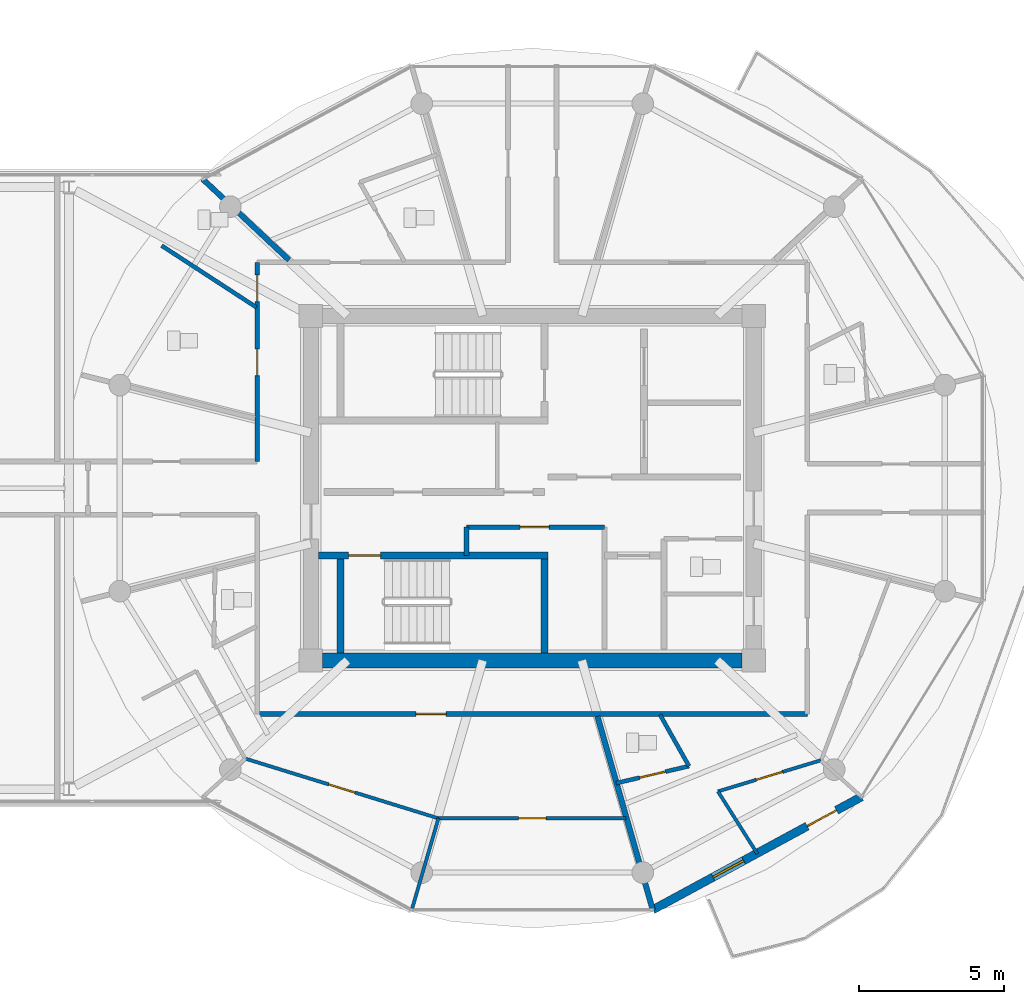
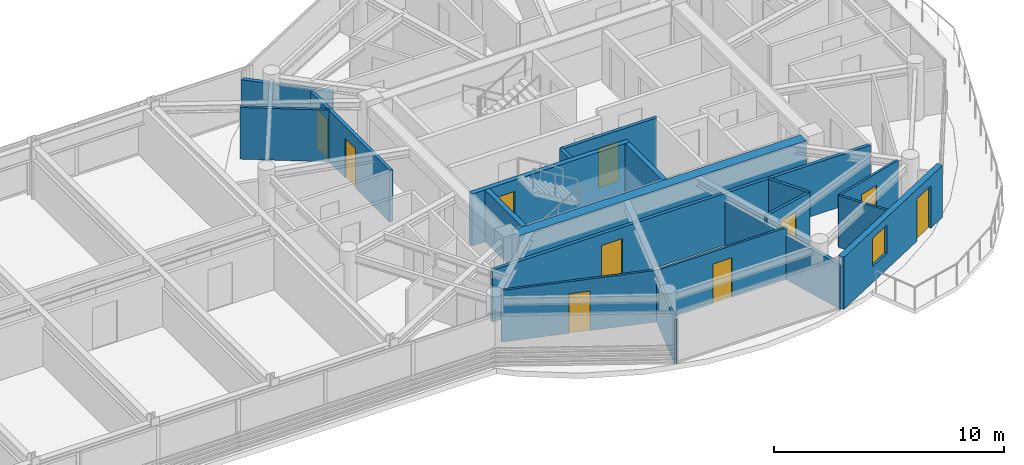
# One storey, part 18 of 26: 19 walls, 10 doors, 1 window, 11 openings.
"""IFC4 building model written with IfcOpenShell, lengths in metres."""

from ifc_helpers import new_model, si_unit, direction, frame, frame_2d, origin, place, context, subcontext, project, spatial, rectangle, extrude, source, transform, mapped, material, layer, layer_set, type_object, type_shapes, element, fill, save


model = new_model("IFC4")

# Units and contexts
model_context = context("Model", 3, precision=1e-05, world=origin(), true_north=direction((0.0, 1.0)))
body_context = subcontext(model_context, "Body", "Model", "MODEL_VIEW")
ifc_project = project(units=[si_unit("LENGTHUNIT", "METRE"), si_unit("AREAUNIT", "SQUARE_METRE"), si_unit("VOLUMEUNIT", "CUBIC_METRE"), si_unit("PLANEANGLEUNIT", "RADIAN"), si_unit("MASSUNIT", "GRAM", prefix="KILO")], contexts=[model_context])

# Site, building, storey
site_placement = place(None, origin())
site = spatial("IfcSite", under=ifc_project, at=site_placement, CompositionType="ELEMENT")
building_placement = place(site_placement, origin())
building = spatial("IfcBuilding", under=site, at=building_placement, Name="Norrkilde Senior Care Towers", CompositionType="ELEMENT")
storey_placement = place(building_placement, frame((0.0, 0.0, 210.85009765625)))
storey = spatial("IfcBuildingStorey", under=building, at=storey_placement, Name="L65", CompositionType="ELEMENT", Elevation=210.85009765625)

# Wall
ifc_material_1 = material(Name="Concrete C50/60", Category="concrete")
ifc_layer_1 = layer(ifc_material_1, 0.52001953125)
ifc_layer_set_1 = layer_set([ifc_layer_1], Name="Concrete C50/60")
wall_type_1 = type_object("IfcWallType", Name="Core Shear Wall Z4 520", PredefinedType="SHEAR", material=ifc_layer_set_1)
shared_shape_1 = source(origin(), body_context, "Body", "SweptSolid", [
    extrude(rectangle(XDim=14.5, YDim=0.52001953125, at=frame_2d((7.25, 0.0))), origin(), (0.0, 0.0, 1.0), 2.760009765625),
])
type_shapes(wall_type_1, [shared_shape_1])
wall_1_placement = place(storey_placement, frame((35.25, -5.949951171875, 0.0), z_axis=(0.0, 0.0, 1.0), x_axis=(-1.0, 0.0, 0.0)))
element("IfcWall", 1, at=wall_1_placement, inside=storey, type_object=wall_type_1, Name="L65 Core E South Shear Wall", PredefinedType="SHEAR", context=body_context, shape_type="MappedRepresentation", body=[
    mapped(shared_shape_1, transform((0.0, 0.0, 0.0), x_axis=(1.0, 0.0, 0.0), y_axis=(0.0, 1.0, 0.0), z_axis=(0.0, 0.0, 1.0), scale=1.0)),
])

# Wall, openings, door, window
ifc_material_2 = material(Name="Precast concrete C45/55", Category="concrete")
ifc_layer_2 = layer(ifc_material_2, 0.2900390625)
ifc_layer_set_2 = layer_set([ifc_layer_2], Name="Precast concrete C45/55")
wall_type_2 = type_object("IfcWallType", Name="Winter Garden Facade Wall 290", PredefinedType="SOLIDWALL", material=ifc_layer_set_2)
shared_shape_2 = source(origin(), body_context, "Body", "SweptSolid", [
    extrude(rectangle(XDim=8.197265625, YDim=0.2900390625, at=frame_2d((4.0986328125, 0.0))), origin(), (0.0, 0.0, 1.0), 2.760009765625),
])
type_shapes(wall_type_2, [shared_shape_2])
wall_2_placement = place(storey_placement, frame((39.370361328125, -10.6630859375, 0.0), z_axis=(0.0, 0.0, 1.0), x_axis=(-0.879369910001, -0.476139224791, 0.0)))
wall_2 = element("IfcWall", 2, at=wall_2_placement, inside=storey, type_object=wall_type_2, Name="L65 Drum E Balcony Access Wall 09", PredefinedType="SOLIDWALL", context=body_context, shape_type="MappedRepresentation", body=[
    mapped(shared_shape_2, transform((0.0, 0.0, 0.0), x_axis=(1.0, 0.0, 0.0), y_axis=(0.0, 1.0, 0.0), z_axis=(0.0, 0.0, 1.0), scale=1.0)),
])
opening_1_placement = place(wall_2_placement, frame((0.97998046875, 0.0, 0.0)))
opening_1 = element("IfcOpeningElement", 3, at=opening_1_placement, cuts=wall_2, Name="Opening D-09", PredefinedType="OPENING", context=body_context, shape_type="SweptSolid", body=[
    extrude(rectangle(XDim=1.14990234375, YDim=2.25, at=frame_2d((0.574951171875, 1.125))), frame((0.0, 0.155029296875, 0.0), z_axis=(0.0, -1.0, 0.0), x_axis=(1.0, 0.0, 0.0)), (0.0, 0.0, 1.0), 0.31005859375),
])
opening_2_placement = place(wall_2_placement, frame((4.628662109375, 0.0, 0.85009765625)))
opening_2 = element("IfcOpeningElement", 4, at=opening_2_placement, cuts=wall_2, Name="Opening WN-07", PredefinedType="OPENING", context=body_context, shape_type="SweptSolid", body=[
    extrude(rectangle(XDim=1.199951171875, YDim=1.5, at=frame_2d((0.60009765625, 0.75))), frame((0.0, 0.155029296875, 0.0), z_axis=(0.0, -1.0, 0.0), x_axis=(1.0, 0.0, 0.0)), (0.0, 0.0, 1.0), 0.31005859375),
])
ifc_material_3 = material(Name="Anodised Aluminium", Category="aluminium")
door_type_1 = type_object("IfcDoorType", Name="Terrace and Balcony Glazed Door 1150x2250", OperationType="NOTDEFINED", PredefinedType="DOOR", material=ifc_material_3)
shared_shape_3 = source(origin(), body_context, "Body", "SweptSolid", [
    extrude(rectangle(XDim=1.14990234375, YDim=2.25, at=frame_2d((0.574951171875, 1.125))), frame((0.0, 0.02490234375, 0.0), z_axis=(0.0, -1.0, 0.0), x_axis=(1.0, 0.0, 0.0)), (0.0, 0.0, 1.0), 0.050048828125),
])
type_shapes(door_type_1, [shared_shape_3])
door_1_placement = place(opening_1_placement, origin())
door_1 = element("IfcDoor", 5, at=door_1_placement, inside=storey, type_object=door_type_1, Name="L65 Drum E Outdoor Terrace Door 09", OperationType="SINGLE_SWING_RIGHT", OverallHeight=2.25, OverallWidth=1.14990234375, PredefinedType="DOOR", context=body_context, shape_type="MappedRepresentation", body=[
    mapped(shared_shape_3, transform((0.0, 0.0, 0.0), x_axis=(1.0, 0.0, 0.0), y_axis=(0.0, 1.0, 0.0), z_axis=(0.0, 0.0, 1.0), scale=1.0)),
])
fill(opening_1, door_1)
ifc_material_4 = material(Name="Triple Low-E Insulated Glazing", Category="glass")
window_type = type_object("IfcWindowType", Name="Stairwell Smoke Vent Window 1200x1500", PartitioningType="SINGLE_PANEL", PredefinedType="WINDOW", material=ifc_material_4)
shared_shape_4 = source(origin(), body_context, "Body", "SweptSolid", [
    extrude(rectangle(XDim=1.199951171875, YDim=1.5, at=frame_2d((0.60009765625, 0.75))), frame((0.0, 0.030029296875, 0.0), z_axis=(0.0, -1.0, 0.0), x_axis=(1.0, 0.0, 0.0)), (0.0, 0.0, 1.0), 0.06005859375),
])
type_shapes(window_type, [shared_shape_4])
window_placement = place(opening_2_placement, origin())
window = element("IfcWindow", 6, at=window_placement, inside=storey, type_object=window_type, Name="L65 Drum E Winter Garden Window 09", OverallHeight=1.5, OverallWidth=1.199951171875, PartitioningType="SINGLE_PANEL", PredefinedType="WINDOW", context=body_context, shape_type="MappedRepresentation", body=[
    mapped(shared_shape_4, transform((0.0, 0.0, 0.0), x_axis=(1.0, 0.0, 0.0), y_axis=(0.0, 1.0, 0.0), z_axis=(0.0, 0.0, 1.0), scale=1.0)),
])
fill(opening_2, window)

# Wall, opening, door
ifc_material_5 = material(Name="Concrete C45/55", Category="concrete")
ifc_layer_3 = layer(ifc_material_5, 0.239990234375)
ifc_layer_set_3 = layer_set([ifc_layer_3], Name="Concrete C45/55")
wall_type_3 = type_object("IfcWallType", Name="Shaft and Stair Enclosure Wall 240", PredefinedType="PARTITIONING", material=ifc_layer_set_3)
shared_shape_5 = source(origin(), body_context, "Body", "SweptSolid", [
    extrude(rectangle(XDim=7.929931640625, YDim=0.239990234375, at=frame_2d((3.96484375, 0.0))), origin(), (0.0, 0.0, 1.0), 2.760009765625),
])
wall_3_placement = place(storey_placement, frame((20.610107421875, -2.330078125, 0.0), z_axis=(0.0, 0.0, 1.0), x_axis=(1.0, 0.0, 0.0)))
wall_3 = element("IfcWall", 7, at=wall_3_placement, inside=storey, type_object=wall_type_3, Name="WL-INT-L65-E-ST2N", PredefinedType="PARTITIONING", context=body_context, shape_type="MappedRepresentation", body=[
    mapped(shared_shape_5, transform((0.0, 0.0, 0.0), x_axis=(1.0, 0.0, 0.0), y_axis=(0.0, 1.0, 0.0), z_axis=(0.0, 0.0, 1.0), scale=1.0)),
])
opening_3_placement = place(wall_3_placement, frame((1.050048828125, 0.0, 0.0)))
opening_3 = element("IfcOpeningElement", 8, at=opening_3_placement, cuts=wall_3, Name="Opening D-03", PredefinedType="OPENING", context=body_context, shape_type="SweptSolid", body=[
    extrude(rectangle(XDim=1.10009765625, YDim=2.14990234375, at=frame_2d((0.550048828125, 1.074951171875))), frame((0.0, 0.1298828125, 0.0), z_axis=(0.0, -1.0, 0.0), x_axis=(1.0, 0.0, 0.0)), (0.0, 0.0, 1.0), 0.260009765625),
])
ifc_material_6 = material(Name="Galvanised Painted Steel", Category="steel")
door_type_2 = type_object("IfcDoorType", Name="Stairwell Protected Fire Door 1100x2150", OperationType="NOTDEFINED", PredefinedType="DOOR", material=ifc_material_6)
shared_shape_6 = source(origin(), body_context, "Body", "SweptSolid", [
    extrude(rectangle(XDim=1.10009765625, YDim=2.14990234375, at=frame_2d((0.550048828125, 1.074951171875))), frame((0.0, 0.02490234375, 0.0), z_axis=(0.0, -1.0, 0.0), x_axis=(1.0, 0.0, 0.0)), (0.0, 0.0, 1.0), 0.050048828125),
])
type_shapes(door_type_2, [shared_shape_6])
door_2_placement = place(opening_3_placement, frame((1.10009765625, 0.0, 0.0), z_axis=(0.0, 0.0, 1.0), x_axis=(-1.0, 0.0, 0.0)))
door_2 = element("IfcDoor", 9, at=door_2_placement, inside=storey, type_object=door_type_2, Name="L65 Stair E2 Fire Door", OperationType="SINGLE_SWING_RIGHT", OverallHeight=2.14990234375, OverallWidth=1.10009765625, PredefinedType="DOOR", context=body_context, shape_type="MappedRepresentation", body=[
    mapped(shared_shape_6, transform((0.0, 0.0, 0.0), x_axis=(1.0, 0.0, 0.0), y_axis=(0.0, 1.0, 0.0), z_axis=(0.0, 0.0, 1.0), scale=1.0)),
])
fill(opening_3, door_2)

# Walls
shared_shape_7 = source(origin(), body_context, "Body", "SweptSolid", [
    extrude(rectangle(XDim=3.239990234375, YDim=0.239990234375, at=frame_2d((1.6201171875, 0.0))), origin(), (0.0, 0.0, 1.0), 2.760009765625),
])
type_shapes(wall_type_3, [shared_shape_5, shared_shape_7])
for number, where, z_axis, x_axis, name in (
    (10, (21.3798828125, -5.68994140625, 0.0), (0.0, 0.0, 1.0), (0.0, 1.0, 0.0), "WL-INT-L65-E-ST2W"),
    (11, (28.419921875, -5.68994140625, 0.0), (0.0, 0.0, 1.0), (0.0, 1.0, 0.0), "WL-INT-L65-E-ST2E"),
):
    element("IfcWall", number, at=place(storey_placement, frame(where, z_axis=z_axis, x_axis=x_axis)), inside=storey, type_object=wall_type_3, Name=name, PredefinedType="PARTITIONING", context=body_context, shape_type="MappedRepresentation", body=[
        mapped(shared_shape_7, transform((0.0, 0.0, 0.0), x_axis=(1.0, 0.0, 0.0), y_axis=(0.0, 1.0, 0.0), z_axis=(0.0, 0.0, 1.0), scale=1.0)),
    ])
ifc_material_7 = material(Name="Gypsum Acoustic Board")
ifc_layer_4 = layer(ifc_material_7, 0.18994140625)
ifc_layer_set_4 = layer_set([ifc_layer_4], Name="Gypsum Acoustic Board")
wall_type_4 = type_object("IfcWallType", Name="Unit Demising Acoustic Wall 190", PredefinedType="PARTITIONING", material=ifc_layer_set_4)
shared_shape_8 = source(origin(), body_context, "Body", "SweptSolid", [
    extrude(rectangle(XDim=4.089111328125, YDim=0.18994140625, at=frame_2d((2.04443359375, 0.0))), origin(), (0.0, 0.0, 1.0), 2.344970703125),
])
wall_4_placement = place(storey_placement, frame((19.59814453125, 7.8798828125, 0.0), z_axis=(0.0, 0.0, 1.0), x_axis=(-0.729401273609, 0.684086092577, 0.0)))
element("IfcWall", 12, at=wall_4_placement, inside=storey, type_object=wall_type_4, Name="WL-INT-L65-E-DEM-04-0", PredefinedType="PARTITIONING", context=body_context, shape_type="MappedRepresentation", body=[
    mapped(shared_shape_8, transform((0.0, 0.0, 0.0), x_axis=(1.0, 0.0, 0.0), y_axis=(0.0, 1.0, 0.0), z_axis=(0.0, 0.0, 1.0), scale=1.0)),
])
shared_shape_9 = source(origin(), body_context, "Body", "SweptSolid", [
    extrude(rectangle(XDim=6.973876953125, YDim=0.18994140625, at=frame_2d((3.48681640625, 0.0))), origin(), (0.0, 0.0, 1.0), 2.344970703125),
])
type_shapes(wall_type_4, [shared_shape_8, shared_shape_9])
wall_5_placement = place(storey_placement, frame((30.251220703125, -7.8798828125, 0.0), z_axis=(0.0, 0.0, 1.0), x_axis=(0.274707256801, -0.961527910703, 0.0)))
element("IfcWall", 13, at=wall_5_placement, inside=storey, type_object=wall_type_4, Name="WL-INT-L65-E-DEM-09-0", PredefinedType="PARTITIONING", context=body_context, shape_type="MappedRepresentation", body=[
    mapped(shared_shape_9, transform((0.0, 0.0, 0.0), x_axis=(1.0, 0.0, 0.0), y_axis=(0.0, 1.0, 0.0), z_axis=(0.0, 0.0, 1.0), scale=1.0)),
])

# Wall, opening, door
ifc_layer_5 = layer(ifc_material_7, 0.1650390625)
ifc_layer_set_5 = layer_set([ifc_layer_5], Name="Gypsum Acoustic Board")
wall_type_5 = type_object("IfcWallType", Name="Corridor Rated Partition 165", PredefinedType="PARTITIONING", material=ifc_layer_set_5)
shared_shape_10 = source(origin(), body_context, "Body", "SweptSolid", [
    extrude(rectangle(XDim=4.77001953125, YDim=0.1650390625, at=frame_2d((2.385009765625, 0.0))), origin(), (0.0, 0.0, 1.0), 2.744873046875),
])
wall_6_placement = place(storey_placement, frame((25.72998046875, -1.35009765625, 0.0), z_axis=(0.0, 0.0, 1.0), x_axis=(1.0, 0.0, 0.0)))
wall_6 = element("IfcWall", 14, at=wall_6_placement, inside=storey, type_object=wall_type_5, Name="WL-INT-L65-E-FR2N", PredefinedType="PARTITIONING", context=body_context, shape_type="MappedRepresentation", body=[
    mapped(shared_shape_10, transform((0.0, 0.0, 0.0), x_axis=(1.0, 0.0, 0.0), y_axis=(0.0, 1.0, 0.0), z_axis=(0.0, 0.0, 1.0), scale=1.0)),
])
opening_4_placement = place(wall_6_placement, frame((1.85009765625, 0.0, 0.0)))
opening_4 = element("IfcOpeningElement", 15, at=opening_4_placement, cuts=wall_6, Name="Opening D-10", PredefinedType="OPENING", context=body_context, shape_type="SweptSolid", body=[
    extrude(rectangle(XDim=1.0, YDim=2.10009765625, at=frame_2d((0.5, 1.050048828125))), frame((0.0, 0.092529296875, 0.0), z_axis=(0.0, -1.0, 0.0), x_axis=(1.0, 0.0, 0.0)), (0.0, 0.0, 1.0), 0.18505859375),
])
door_type_3 = type_object("IfcDoorType", Name="Plant and Riser Rated Door 1000x2100", OperationType="NOTDEFINED", PredefinedType="DOOR", material=ifc_material_6)
shared_shape_11 = source(origin(), body_context, "Body", "SweptSolid", [
    extrude(rectangle(XDim=1.0, YDim=2.10009765625, at=frame_2d((0.5, 1.050048828125))), frame((0.0, 0.02490234375, 0.0), z_axis=(0.0, -1.0, 0.0), x_axis=(1.0, 0.0, 0.0)), (0.0, 0.0, 1.0), 0.050048828125),
])
type_shapes(door_type_3, [shared_shape_11])
door_3_placement = place(opening_4_placement, origin())
door_3 = element("IfcDoor", 16, at=door_3_placement, inside=storey, type_object=door_type_3, Name="L65 Core Pantry E Door", OperationType="SINGLE_SWING_RIGHT", OverallHeight=2.10009765625, OverallWidth=1.0, PredefinedType="DOOR", context=body_context, shape_type="MappedRepresentation", body=[
    mapped(shared_shape_11, transform((0.0, 0.0, 0.0), x_axis=(1.0, 0.0, 0.0), y_axis=(0.0, 1.0, 0.0), z_axis=(0.0, 0.0, 1.0), scale=1.0)),
])
fill(opening_4, door_3)

# Wall
shared_shape_12 = source(origin(), body_context, "Body", "SweptSolid", [
    extrude(rectangle(XDim=0.97998046875, YDim=0.1650390625, at=frame_2d((0.489990234375, 0.0))), origin(), (0.0, 0.0, 1.0), 2.744873046875),
])
wall_7_placement = place(storey_placement, frame((25.72998046875, -2.330078125, 0.0), z_axis=(0.0, 0.0, 1.0), x_axis=(0.0, 1.0, 0.0)))
element("IfcWall", 17, at=wall_7_placement, inside=storey, type_object=wall_type_5, Name="WL-INT-L65-E-FR2W", PredefinedType="PARTITIONING", context=body_context, shape_type="MappedRepresentation", body=[
    mapped(shared_shape_12, transform((0.0, 0.0, 0.0), x_axis=(1.0, 0.0, 0.0), y_axis=(0.0, 1.0, 0.0), z_axis=(0.0, 0.0, 1.0), scale=1.0)),
])

# Wall, opening, door
shared_shape_13 = source(origin(), body_context, "Body", "SweptSolid", [
    extrude(rectangle(XDim=19.0, YDim=0.1650390625, at=frame_2d((9.5, 0.0))), origin(), (0.0, 0.0, 1.0), 2.744873046875),
])
wall_8_placement = place(storey_placement, frame((37.5, -7.800048828125, 0.0), z_axis=(0.0, 0.0, 1.0), x_axis=(-1.0, 0.0, 0.0)))
wall_8 = element("IfcWall", 18, at=wall_8_placement, inside=storey, type_object=wall_type_5, Name="WL-INT-L65-E-CRW-S-0", PredefinedType="PARTITIONING", context=body_context, shape_type="MappedRepresentation", body=[
    mapped(shared_shape_13, transform((0.0, 0.0, 0.0), x_axis=(1.0, 0.0, 0.0), y_axis=(0.0, 1.0, 0.0), z_axis=(0.0, 0.0, 1.0), scale=1.0)),
])
opening_5_placement = place(wall_8_placement, frame((12.47314453125, 0.0, 0.0)))
opening_5 = element("IfcOpeningElement", 19, at=opening_5_placement, cuts=wall_8, Name="Opening D-06", PredefinedType="OPENING", context=body_context, shape_type="SweptSolid", body=[
    extrude(rectangle(XDim=1.050048828125, YDim=2.14990234375, at=frame_2d((0.52490234375, 1.074951171875))), frame((0.0, 0.092529296875, 0.0), z_axis=(0.0, -1.0, 0.0), x_axis=(1.0, 0.0, 0.0)), (0.0, 0.0, 1.0), 0.18505859375),
])
ifc_material_8 = material(Name="Nordic Ash Timber", Category="wood")
door_type_4 = type_object("IfcDoorType", Name="Apartment Entrance Fire Door 1050x2150", OperationType="NOTDEFINED", PredefinedType="DOOR", material=ifc_material_8)
shared_shape_14 = source(origin(), body_context, "Body", "SweptSolid", [
    extrude(rectangle(XDim=1.050048828125, YDim=2.14990234375, at=frame_2d((0.52490234375, 1.074951171875))), frame((0.0, 0.02490234375, 0.0), z_axis=(0.0, -1.0, 0.0), x_axis=(1.0, 0.0, 0.0)), (0.0, 0.0, 1.0), 0.050048828125),
])
type_shapes(door_type_4, [shared_shape_14])
door_4_placement = place(opening_5_placement, frame((1.050048828125, 0.0, 0.0), z_axis=(0.0, 0.0, 1.0), x_axis=(-1.0, 0.0, 0.0)))
door_4 = element("IfcDoor", 20, at=door_4_placement, inside=storey, type_object=door_type_4, Name="Apartment 65E Entrance Door", OperationType="SINGLE_SWING_LEFT", OverallHeight=2.14990234375, OverallWidth=1.050048828125, PredefinedType="DOOR", context=body_context, shape_type="MappedRepresentation", body=[
    mapped(shared_shape_14, transform((0.0, 0.0, 0.0), x_axis=(1.0, 0.0, 0.0), y_axis=(0.0, 1.0, 0.0), z_axis=(0.0, 0.0, 1.0), scale=1.0)),
])
fill(opening_5, door_4)

# Wall, openings, doors
shared_shape_15 = source(origin(), body_context, "Body", "SweptSolid", [
    extrude(rectangle(XDim=6.880126953125, YDim=0.1650390625, at=frame_2d((3.43994140625, 0.0))), origin(), (0.0, 0.0, 1.0), 2.744873046875),
])
type_shapes(wall_type_5, [shared_shape_10, shared_shape_12, shared_shape_13, shared_shape_15])
wall_9_placement = place(storey_placement, frame((18.5, 0.919921875, 0.0), z_axis=(0.0, 0.0, 1.0), x_axis=(0.0, 1.0, 0.0)))
wall_9 = element("IfcWall", 21, at=wall_9_placement, inside=storey, type_object=wall_type_5, Name="WL-INT-L65-E-CRW-W-1", PredefinedType="PARTITIONING", context=body_context, shape_type="MappedRepresentation", body=[
    mapped(shared_shape_15, transform((0.0, 0.0, 0.0), x_axis=(1.0, 0.0, 0.0), y_axis=(0.0, 1.0, 0.0), z_axis=(0.0, 0.0, 1.0), scale=1.0)),
])
opening_6_placement = place(wall_9_placement, frame((5.525146484375, 0.0, 0.0)))
opening_6 = element("IfcOpeningElement", 22, at=opening_6_placement, cuts=wall_9, Name="Opening D-08", PredefinedType="OPENING", context=body_context, shape_type="SweptSolid", body=[
    extrude(rectangle(XDim=0.919921875, YDim=2.10009765625, at=frame_2d((0.4599609375, 1.050048828125))), frame((0.0, 0.092529296875, 0.0), z_axis=(0.0, -1.0, 0.0), x_axis=(1.0, 0.0, 0.0)), (0.0, 0.0, 1.0), 0.18505859375),
])
opening_7_placement = place(wall_9_placement, frame((2.96240234375, 0.0, 0.0)))
opening_7 = element("IfcOpeningElement", 23, at=opening_7_placement, cuts=wall_9, Name="Opening D-08", PredefinedType="OPENING", context=body_context, shape_type="SweptSolid", body=[
    extrude(rectangle(XDim=0.919921875, YDim=2.10009765625, at=frame_2d((0.4599609375, 1.050048828125))), frame((0.0, 0.092529296875, 0.0), z_axis=(0.0, -1.0, 0.0), x_axis=(1.0, 0.0, 0.0)), (0.0, 0.0, 1.0), 0.18505859375),
])
door_type_5 = type_object("IfcDoorType", Name="Accessible Wet Room Door 920x2100", OperationType="NOTDEFINED", PredefinedType="DOOR", material=ifc_material_8)
shared_shape_16 = source(origin(), body_context, "Body", "SweptSolid", [
    extrude(rectangle(XDim=0.919921875, YDim=2.10009765625, at=frame_2d((0.4599609375, 1.050048828125))), frame((0.0, 0.02490234375, 0.0), z_axis=(0.0, -1.0, 0.0), x_axis=(1.0, 0.0, 0.0)), (0.0, 0.0, 1.0), 0.050048828125),
])
type_shapes(door_type_5, [shared_shape_16])
door_5_placement = place(opening_6_placement, frame((0.919921875, 0.0, 0.0), z_axis=(0.0, 0.0, 1.0), x_axis=(-1.0, 0.0, 0.0)))
door_5 = element("IfcDoor", 24, at=door_5_placement, inside=storey, type_object=door_type_5, Name="L65 Accessible Restroom Door", OperationType="SINGLE_SWING_LEFT", OverallHeight=2.10009765625, OverallWidth=0.919921875, PredefinedType="DOOR", context=body_context, shape_type="MappedRepresentation", body=[
    mapped(shared_shape_16, transform((0.0, 0.0, 0.0), x_axis=(1.0, 0.0, 0.0), y_axis=(0.0, 1.0, 0.0), z_axis=(0.0, 0.0, 1.0), scale=1.0)),
])
fill(opening_6, door_5)
door_6_placement = place(opening_7_placement, frame((0.919921875, 0.0, 0.0), z_axis=(0.0, 0.0, 1.0), x_axis=(-1.0, 0.0, 0.0)))
door_6 = element("IfcDoor", 25, at=door_6_placement, inside=storey, type_object=door_type_5, Name="L65 Public Restroom Door", OperationType="SINGLE_SWING_RIGHT", OverallHeight=2.10009765625, OverallWidth=0.919921875, PredefinedType="DOOR", context=body_context, shape_type="MappedRepresentation", body=[
    mapped(shared_shape_16, transform((0.0, 0.0, 0.0), x_axis=(1.0, 0.0, 0.0), y_axis=(0.0, 1.0, 0.0), z_axis=(0.0, 0.0, 1.0), scale=1.0)),
])
fill(opening_7, door_6)

# Wall
ifc_layer_6 = layer(ifc_material_7, 0.139892578125)
ifc_layer_set_6 = layer_set([ifc_layer_6], Name="Gypsum Acoustic Board")
wall_type_6 = type_object("IfcWallType", Name="En-suite Wet Room Wall 140", PredefinedType="PARTITIONING", material=ifc_layer_set_6)
shared_shape_17 = source(origin(), body_context, "Body", "SweptSolid", [
    extrude(rectangle(XDim=3.903564453125, YDim=0.139892578125, at=frame_2d((1.95166015625, 0.0))), origin(), (0.0, 0.0, 1.0), 2.744873046875),
])
wall_10_placement = place(storey_placement, frame((18.469970703125, 6.245849609375, 0.0), z_axis=(0.0, 0.0, 1.0), x_axis=(-0.838024687996, 0.545632314209, 0.0)))
element("IfcWall", 26, at=wall_10_placement, inside=storey, type_object=wall_type_6, Name="WL-INT-L65-E-MID-04", PredefinedType="PARTITIONING", context=body_context, shape_type="MappedRepresentation", body=[
    mapped(shared_shape_17, transform((0.0, 0.0, 0.0), x_axis=(1.0, 0.0, 0.0), y_axis=(0.0, 1.0, 0.0), z_axis=(0.0, 0.0, 1.0), scale=1.0)),
])

# Wall, opening, door
ifc_layer_7 = layer(ifc_material_7, 0.114990234375)
ifc_layer_set_7 = layer_set([ifc_layer_7], Name="Gypsum Acoustic Board")
wall_type_7 = type_object("IfcWallType", Name="Internal Room Partition 115", PredefinedType="PARTITIONING", material=ifc_layer_set_7)
shared_shape_18 = source(origin(), body_context, "Body", "SweptSolid", [
    extrude(rectangle(XDim=6.979736328125, YDim=0.114990234375, at=frame_2d((3.48974609375, 0.0))), origin(), (0.0, 0.0, 1.0), 2.744873046875),
])
wall_11_placement = place(storey_placement, frame((18.0908203125, -9.34423828125, 0.0), z_axis=(0.0, 0.0, 1.0), x_axis=(0.955342331637, -0.295501318749, 0.0)))
wall_11 = element("IfcWall", 27, at=wall_11_placement, inside=storey, type_object=wall_type_7, Name="WL-INT-L65-E-UBC-06-1", PredefinedType="PARTITIONING", context=body_context, shape_type="MappedRepresentation", body=[
    mapped(shared_shape_18, transform((0.0, 0.0, 0.0), x_axis=(1.0, 0.0, 0.0), y_axis=(0.0, 1.0, 0.0), z_axis=(0.0, 0.0, 1.0), scale=1.0)),
])
opening_8_placement = place(wall_11_placement, frame((3.014892578125, 0.0, 0.0)))
opening_8 = element("IfcOpeningElement", 28, at=opening_8_placement, cuts=wall_11, Name="Opening D-07", PredefinedType="OPENING", context=body_context, shape_type="SweptSolid", body=[
    extrude(rectangle(XDim=0.949951171875, YDim=2.10009765625, at=frame_2d((0.47509765625, 1.050048828125))), frame((0.0, 0.0673828125, 0.0), z_axis=(0.0, -1.0, 0.0), x_axis=(1.0, 0.0, 0.0)), (0.0, 0.0, 1.0), 0.135009765625),
])
door_type_6 = type_object("IfcDoorType", Name="Internal Suite Bedroom Door 950x2100", OperationType="NOTDEFINED", PredefinedType="DOOR", material=ifc_material_8)
shared_shape_19 = source(origin(), body_context, "Body", "SweptSolid", [
    extrude(rectangle(XDim=0.949951171875, YDim=2.10009765625, at=frame_2d((0.47509765625, 1.050048828125))), frame((0.0, 0.02490234375, 0.0), z_axis=(0.0, -1.0, 0.0), x_axis=(1.0, 0.0, 0.0)), (0.0, 0.0, 1.0), 0.050048828125),
])
type_shapes(door_type_6, [shared_shape_19])
door_7_placement = place(opening_8_placement, origin())
door_7 = element("IfcDoor", 29, at=door_7_placement, inside=storey, type_object=door_type_6, Name="Apartment 65E Bedroom 1 Door", OperationType="SINGLE_SWING_RIGHT", OverallHeight=2.10009765625, OverallWidth=0.949951171875, PredefinedType="DOOR", context=body_context, shape_type="MappedRepresentation", body=[
    mapped(shared_shape_19, transform((0.0, 0.0, 0.0), x_axis=(1.0, 0.0, 0.0), y_axis=(0.0, 1.0, 0.0), z_axis=(0.0, 0.0, 1.0), scale=1.0)),
])
fill(opening_8, door_7)

shared_shape_20 = source(origin(), body_context, "Body", "SweptSolid", [
    extrude(rectangle(XDim=6.48095703125, YDim=0.114990234375, at=frame_2d((3.240478515625, 0.0))), origin(), (0.0, 0.0, 1.0), 2.744873046875),
])
wall_12_placement = place(storey_placement, frame((24.759521484375, -11.404052734375, 0.0), z_axis=(0.0, 0.0, 1.0), x_axis=(1.0, 0.0, 0.0)))
wall_12 = element("IfcWall", 30, at=wall_12_placement, inside=storey, type_object=wall_type_7, Name="WL-INT-L65-E-UBC-06-2", PredefinedType="PARTITIONING", context=body_context, shape_type="MappedRepresentation", body=[
    mapped(shared_shape_20, transform((0.0, 0.0, 0.0), x_axis=(1.0, 0.0, 0.0), y_axis=(0.0, 1.0, 0.0), z_axis=(0.0, 0.0, 1.0), scale=1.0)),
])
opening_9_placement = place(wall_12_placement, frame((2.765380859375, 0.0, 0.0)))
opening_9 = element("IfcOpeningElement", 31, at=opening_9_placement, cuts=wall_12, Name="Opening D-07", PredefinedType="OPENING", context=body_context, shape_type="SweptSolid", body=[
    extrude(rectangle(XDim=0.949951171875, YDim=2.10009765625, at=frame_2d((0.47509765625, 1.050048828125))), frame((0.0, 0.0673828125, 0.0), z_axis=(0.0, -1.0, 0.0), x_axis=(1.0, 0.0, 0.0)), (0.0, 0.0, 1.0), 0.135009765625),
])
door_8_placement = place(opening_9_placement, frame((0.949951171875, 0.0, 0.0), z_axis=(0.0, 0.0, 1.0), x_axis=(-1.0, 0.0, 0.0)))
door_8 = element("IfcDoor", 32, at=door_8_placement, inside=storey, type_object=door_type_6, Name="Apartment 65E Bedroom 2 Door", OperationType="SINGLE_SWING_LEFT", OverallHeight=2.10009765625, OverallWidth=0.949951171875, PredefinedType="DOOR", context=body_context, shape_type="MappedRepresentation", body=[
    mapped(shared_shape_19, transform((0.0, 0.0, 0.0), x_axis=(1.0, 0.0, 0.0), y_axis=(0.0, 1.0, 0.0), z_axis=(0.0, 0.0, 1.0), scale=1.0)),
])
fill(opening_9, door_8)

# Walls
shared_shape_21 = source(origin(), body_context, "Body", "SweptSolid", [
    extrude(rectangle(XDim=3.3134765625, YDim=0.114990234375, at=frame_2d((1.65673828125, 0.0))), origin(), (0.0, 0.0, 1.0), 2.344970703125),
])
wall_13_placement = place(storey_placement, frame((24.759521484375, -11.404052734375, 0.0), z_axis=(0.0, 0.0, 1.0), x_axis=(-0.279612365916, -0.960112975033, 0.0)))
element("IfcWall", 33, at=wall_13_placement, inside=storey, type_object=wall_type_7, Name="WL-INT-L65-E-UBR-06-2", PredefinedType="PARTITIONING", context=body_context, shape_type="MappedRepresentation", body=[
    mapped(shared_shape_21, transform((0.0, 0.0, 0.0), x_axis=(1.0, 0.0, 0.0), y_axis=(0.0, 1.0, 0.0), z_axis=(0.0, 0.0, 1.0), scale=1.0)),
])
shared_shape_22 = source(origin(), body_context, "Body", "SweptSolid", [
    extrude(rectangle(XDim=2.035400390625, YDim=0.139892578125, at=frame_2d((1.017578125, 0.0))), origin(), (0.0, 0.0, 1.0), 2.744873046875),
])
wall_14_placement = place(storey_placement, frame((32.4150390625, -7.830078125, 0.0), z_axis=(0.0, 0.0, 1.0), x_axis=(0.491092509169, -0.871107425888, 0.0)))
element("IfcWall", 34, at=wall_14_placement, inside=storey, type_object=wall_type_6, Name="WL-INT-L65-E-UBTS-09", PredefinedType="PARTITIONING", context=body_context, shape_type="MappedRepresentation", body=[
    mapped(shared_shape_22, transform((0.0, 0.0, 0.0), x_axis=(1.0, 0.0, 0.0), y_axis=(0.0, 1.0, 0.0), z_axis=(0.0, 0.0, 1.0), scale=1.0)),
])

# Wall, opening, door
shared_shape_23 = source(origin(), body_context, "Body", "SweptSolid", [
    extrude(rectangle(XDim=2.58642578125, YDim=0.139892578125, at=frame_2d((1.293212890625, 0.0))), origin(), (0.0, 0.0, 1.0), 2.744873046875),
])
type_shapes(wall_type_6, [shared_shape_17, shared_shape_22, shared_shape_23])
wall_15_placement = place(storey_placement, frame((33.41455078125, -9.60302734375, 0.0), z_axis=(0.0, 0.0, 1.0), x_axis=(-0.973691298219, -0.227871138526, 0.0)))
wall_15 = element("IfcWall", 35, at=wall_15_placement, inside=storey, type_object=wall_type_6, Name="WL-INT-L65-E-UBTF-09", PredefinedType="PARTITIONING", context=body_context, shape_type="MappedRepresentation", body=[
    mapped(shared_shape_23, transform((0.0, 0.0, 0.0), x_axis=(1.0, 0.0, 0.0), y_axis=(0.0, 1.0, 0.0), z_axis=(0.0, 0.0, 1.0), scale=1.0)),
])
opening_10_placement = place(wall_15_placement, frame((0.833251953125, 0.0, 0.0)))
opening_10 = element("IfcOpeningElement", 36, at=opening_10_placement, cuts=wall_15, Name="Opening D-08", PredefinedType="OPENING", context=body_context, shape_type="SweptSolid", body=[
    extrude(rectangle(XDim=0.919921875, YDim=2.10009765625, at=frame_2d((0.4599609375, 1.050048828125))), frame((0.0, 0.079833984375, 0.0), z_axis=(0.0, -1.0, 0.0), x_axis=(1.0, 0.0, 0.0)), (0.0, 0.0, 1.0), 0.159912109375),
])
door_9_placement = place(opening_10_placement, origin())
door_9 = element("IfcDoor", 37, at=door_9_placement, inside=storey, type_object=door_type_5, Name="Apartment 65F Bathroom Door", OperationType="SINGLE_SWING_LEFT", OverallHeight=2.10009765625, OverallWidth=0.919921875, PredefinedType="DOOR", context=body_context, shape_type="MappedRepresentation", body=[
    mapped(shared_shape_16, transform((0.0, 0.0, 0.0), x_axis=(1.0, 0.0, 0.0), y_axis=(0.0, 1.0, 0.0), z_axis=(0.0, 0.0, 1.0), scale=1.0)),
])
fill(opening_10, door_9)

# Wall
shared_shape_24 = source(origin(), body_context, "Body", "SweptSolid", [
    extrude(rectangle(XDim=2.548828125, YDim=0.114990234375, at=frame_2d((1.2744140625, 0.0))), origin(), (0.0, 0.0, 1.0), 2.744873046875),
])
wall_16_placement = place(storey_placement, frame((34.414306640625, -10.4765625, 0.0), z_axis=(0.0, 0.0, 1.0), x_axis=(0.534108310175, -0.845416059111, 0.0)))
element("IfcWall", 38, at=wall_16_placement, inside=storey, type_object=wall_type_7, Name="WL-INT-L65-E-UKTS-09", PredefinedType="PARTITIONING", context=body_context, shape_type="MappedRepresentation", body=[
    mapped(shared_shape_24, transform((0.0, 0.0, 0.0), x_axis=(1.0, 0.0, 0.0), y_axis=(0.0, 1.0, 0.0), z_axis=(0.0, 0.0, 1.0), scale=1.0)),
])

# Wall, opening, door
shared_shape_25 = source(origin(), body_context, "Body", "SweptSolid", [
    extrude(rectangle(XDim=3.71435546875, YDim=0.114990234375, at=frame_2d((1.857177734375, 0.0))), origin(), (0.0, 0.0, 1.0), 2.744873046875),
])
type_shapes(wall_type_7, [shared_shape_18, shared_shape_20, shared_shape_21, shared_shape_24, shared_shape_25])
wall_17_placement = place(storey_placement, frame((34.414306640625, -10.4765625, 0.0), z_axis=(0.0, 0.0, 1.0), x_axis=(0.957188983281, 0.28946372879, 0.0)))
wall_17 = element("IfcWall", 39, at=wall_17_placement, inside=storey, type_object=wall_type_7, Name="WL-INT-L65-E-UKTF-09", PredefinedType="PARTITIONING", context=body_context, shape_type="MappedRepresentation", body=[
    mapped(shared_shape_25, transform((0.0, 0.0, 0.0), x_axis=(1.0, 0.0, 0.0), y_axis=(0.0, 1.0, 0.0), z_axis=(0.0, 0.0, 1.0), scale=1.0)),
])
opening_11_placement = place(wall_17_placement, frame((1.38232421875, 0.0, 0.0)))
opening_11 = element("IfcOpeningElement", 40, at=opening_11_placement, cuts=wall_17, Name="Opening D-07", PredefinedType="OPENING", context=body_context, shape_type="SweptSolid", body=[
    extrude(rectangle(XDim=0.949951171875, YDim=2.10009765625, at=frame_2d((0.47509765625, 1.050048828125))), frame((0.0, 0.0673828125, 0.0), z_axis=(0.0, -1.0, 0.0), x_axis=(1.0, 0.0, 0.0)), (0.0, 0.0, 1.0), 0.135009765625),
])
door_10_placement = place(opening_11_placement, frame((0.949951171875, 0.0, 0.0), z_axis=(0.0, 0.0, 1.0), x_axis=(-1.0, 0.0, 0.0)))
door_10 = element("IfcDoor", 41, at=door_10_placement, inside=storey, type_object=door_type_6, Name="Apartment 65F Kitchen Door", OperationType="SINGLE_SWING_RIGHT", OverallHeight=2.10009765625, OverallWidth=0.949951171875, PredefinedType="DOOR", context=body_context, shape_type="MappedRepresentation", body=[
    mapped(shared_shape_19, transform((0.0, 0.0, 0.0), x_axis=(1.0, 0.0, 0.0), y_axis=(0.0, 1.0, 0.0), z_axis=(0.0, 0.0, 1.0), scale=1.0)),
])
fill(opening_11, door_10)

save(model, "model.ifc")
